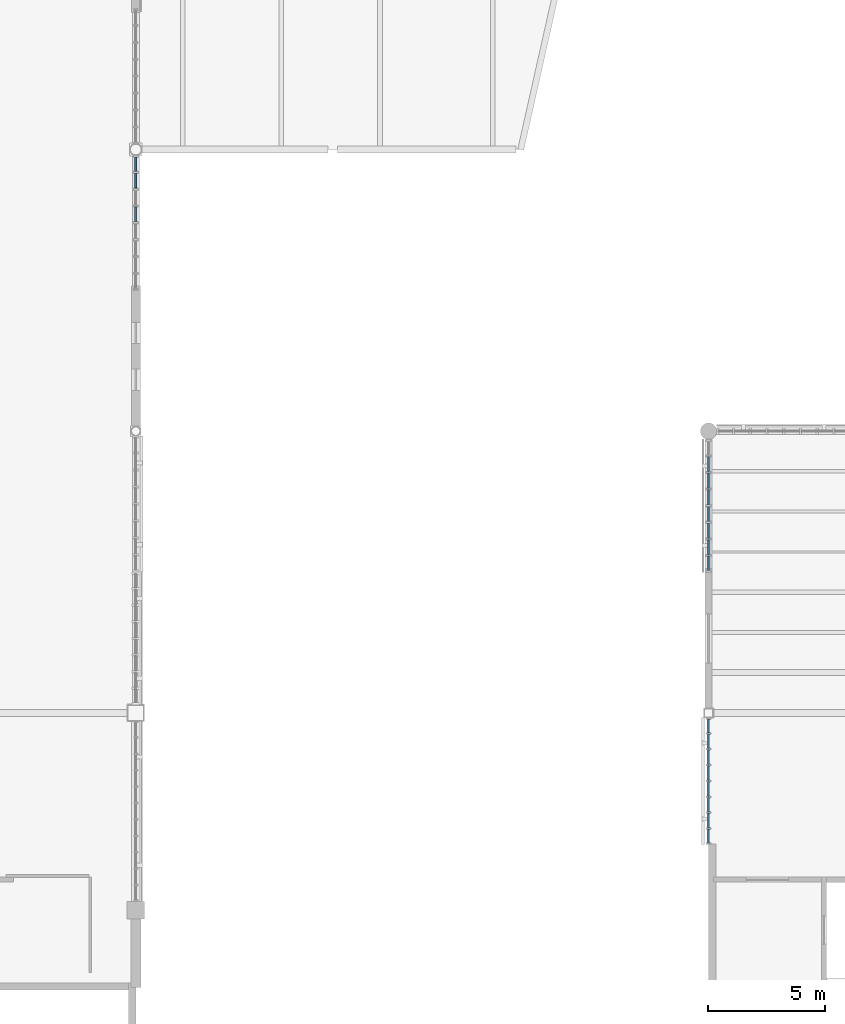
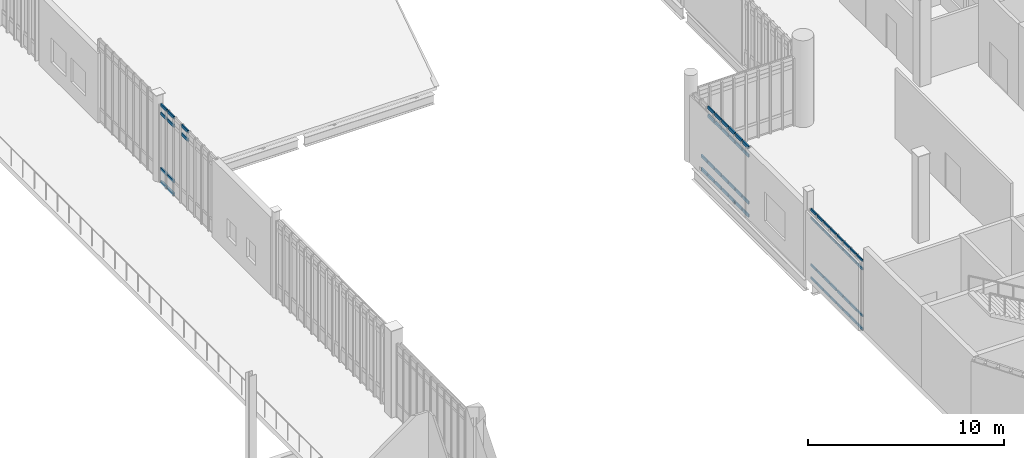
# One storey, part 52 of 135: 68 members, 3 elements without a shape of their own.
"""IFC4 building model written with IfcOpenShell, lengths in metres."""

from ifc_helpers import new_model, si_unit, direction, frame, origin, origin_2d, place, context, subcontext, project, spatial, rectangle, extrude, material, material_profile, profile_set, type_object, element, aggregate, save


model = new_model("IFC4")

# Units and contexts
model_context = context("Model", 3, precision=1e-05, world=origin(), true_north=direction((0.0, 1.0)))
body_context = subcontext(model_context, "Body", "Model", "MODEL_VIEW")
ifc_project = project(units=[si_unit("LENGTHUNIT", "METRE"), si_unit("AREAUNIT", "SQUARE_METRE"), si_unit("VOLUMEUNIT", "CUBIC_METRE"), si_unit("PLANEANGLEUNIT", "RADIAN"), si_unit("MASSUNIT", "GRAM", prefix="KILO")], contexts=[model_context])

# Site, building, storey
site_placement = place(None, origin())
site = spatial("IfcSite", under=ifc_project, at=site_placement, CompositionType="ELEMENT")
building_placement = place(site_placement, origin())
building = spatial("IfcBuilding", under=site, at=building_placement, Name="Larkvane Passage Sports Hall", CompositionType="ELEMENT")
storey_placement = place(building_placement, frame((0.0, 0.0, 16.800048828125)))
storey = spatial("IfcBuildingStorey", under=building, at=storey_placement, Name="L03", CompositionType="ELEMENT", Elevation=16.800048828125)

# Curtain wall, members
ifc_material_1 = material(Name="Thermally broken aluminium and low-E glazing", Category="aluminium")
curtain_wall_type_1 = type_object("IfcCurtainWallType", Name="CW-UNIT-COURT", PredefinedType="USERDEFINED", material=ifc_material_1)
curtain_wall_1_placement = place(storey_placement, origin())
curtain_wall_1 = element("IfcCurtainWall", 1, at=curtain_wall_1_placement, inside=storey, type_object=curtain_wall_type_1, Name="Curtain wall CW5-L03-120", ObjectType="UNITISED CURTAIN WALL", PredefinedType="USERDEFINED")
ifc_material_2 = material(Name="Anodised aluminium 6063-T6", Category="aluminium")
ifc_material_profile_1 = material_profile(ifc_material_2, rectangle(XDim=0.06494140625, YDim=0.139892578125, at=origin_2d()), Name="ALU-TRN-65x140")
ifc_profile_set_1 = profile_set([ifc_material_profile_1], Name="Anodised aluminium 6063-T6")
member_type_1 = type_object("IfcMemberType", Name="CW-TRN-65x140", PredefinedType="USERDEFINED", material=ifc_profile_set_1)
member_1_placement = place(storey_placement, frame((118.0, 34.06494140625, 0.032470703125), z_axis=(0.0, 1.0, 0.0), x_axis=(-1.0, 0.0, 0.0)))
member_1 = element("IfcMember", 2, at=member_1_placement, type_object=member_type_1, Name="CW-01 transom 1.1", ObjectType="TRANSOM", PredefinedType="USERDEFINED", context=body_context, shape_type="SweptSolid", body=[
    extrude(rectangle(XDim=0.06494140625, YDim=0.139892578125, at=origin_2d()), origin(), (0.0, 0.0, 1.0), 0.578125),
])
member_2_placement = place(storey_placement, frame((118.0, 34.06494140625, 0.849853515625), z_axis=(0.0, 1.0, 0.0), x_axis=(-1.0, 0.0, 0.0)))
member_2 = element("IfcMember", 3, at=member_2_placement, type_object=member_type_1, Name="CW-01 transom 1.2", ObjectType="TRANSOM", PredefinedType="USERDEFINED", context=body_context, shape_type="SweptSolid", body=[
    extrude(rectangle(XDim=0.06494140625, YDim=0.139892578125, at=origin_2d()), origin(), (0.0, 0.0, 1.0), 0.578125),
])
member_3_placement = place(storey_placement, frame((118.0, 34.06494140625, 3.765869140625), z_axis=(0.0, 1.0, 0.0), x_axis=(-1.0, 0.0, 0.0)))
member_3 = element("IfcMember", 4, at=member_3_placement, type_object=member_type_1, Name="CW-01 transom 1.3", ObjectType="TRANSOM", PredefinedType="USERDEFINED", context=body_context, shape_type="SweptSolid", body=[
    extrude(rectangle(XDim=0.06494140625, YDim=0.139892578125, at=origin_2d()), origin(), (0.0, 0.0, 1.0), 0.578125),
])
member_4_placement = place(storey_placement, frame((118.0, 34.06494140625, 4.283447265625), z_axis=(0.0, 1.0, 0.0), x_axis=(-1.0, 0.0, 0.0)))
member_4 = element("IfcMember", 5, at=member_4_placement, type_object=member_type_1, Name="CW-01 transom 1.4", ObjectType="TRANSOM", PredefinedType="USERDEFINED", context=body_context, shape_type="SweptSolid", body=[
    extrude(rectangle(XDim=0.06494140625, YDim=0.139892578125, at=origin_2d()), origin(), (0.0, 0.0, 1.0), 0.578125),
])
member_5_placement = place(storey_placement, frame((118.0, 34.7080078125, 0.032470703125), z_axis=(0.0, 1.0, 0.0), x_axis=(-1.0, 0.0, 0.0)))
member_5 = element("IfcMember", 6, at=member_5_placement, type_object=member_type_1, Name="CW-01 transom 2.1", ObjectType="TRANSOM", PredefinedType="USERDEFINED", context=body_context, shape_type="SweptSolid", body=[
    extrude(rectangle(XDim=0.06494140625, YDim=0.139892578125, at=origin_2d()), origin(), (0.0, 0.0, 1.0), 0.610595703125),
])
member_6_placement = place(storey_placement, frame((118.0, 34.7080078125, 0.849853515625), z_axis=(0.0, 1.0, 0.0), x_axis=(-1.0, 0.0, 0.0)))
member_6 = element("IfcMember", 7, at=member_6_placement, type_object=member_type_1, Name="CW-01 transom 2.2", ObjectType="TRANSOM", PredefinedType="USERDEFINED", context=body_context, shape_type="SweptSolid", body=[
    extrude(rectangle(XDim=0.06494140625, YDim=0.139892578125, at=origin_2d()), origin(), (0.0, 0.0, 1.0), 0.610595703125),
])
member_7_placement = place(storey_placement, frame((118.0, 34.7080078125, 3.765869140625), z_axis=(0.0, 1.0, 0.0), x_axis=(-1.0, 0.0, 0.0)))
member_7 = element("IfcMember", 8, at=member_7_placement, type_object=member_type_1, Name="CW-01 transom 2.3", ObjectType="TRANSOM", PredefinedType="USERDEFINED", context=body_context, shape_type="SweptSolid", body=[
    extrude(rectangle(XDim=0.06494140625, YDim=0.139892578125, at=origin_2d()), origin(), (0.0, 0.0, 1.0), 0.610595703125),
])
member_8_placement = place(storey_placement, frame((118.0, 34.7080078125, 4.283447265625), z_axis=(0.0, 1.0, 0.0), x_axis=(-1.0, 0.0, 0.0)))
member_8 = element("IfcMember", 9, at=member_8_placement, type_object=member_type_1, Name="CW-01 transom 2.4", ObjectType="TRANSOM", PredefinedType="USERDEFINED", context=body_context, shape_type="SweptSolid", body=[
    extrude(rectangle(XDim=0.06494140625, YDim=0.139892578125, at=origin_2d()), origin(), (0.0, 0.0, 1.0), 0.610595703125),
])
member_9_placement = place(storey_placement, frame((118.0, 35.383544921875, 0.032470703125), z_axis=(0.0, 1.0, 0.0), x_axis=(-1.0, 0.0, 0.0)))
member_9 = element("IfcMember", 10, at=member_9_placement, type_object=member_type_1, Name="CW-01 transom 3.1", ObjectType="TRANSOM", PredefinedType="USERDEFINED", context=body_context, shape_type="SweptSolid", body=[
    extrude(rectangle(XDim=0.06494140625, YDim=0.139892578125, at=origin_2d()), origin(), (0.0, 0.0, 1.0), 0.6103515625),
])
member_10_placement = place(storey_placement, frame((118.0, 35.383544921875, 0.849853515625), z_axis=(0.0, 1.0, 0.0), x_axis=(-1.0, 0.0, 0.0)))
member_10 = element("IfcMember", 11, at=member_10_placement, type_object=member_type_1, Name="CW-01 transom 3.2", ObjectType="TRANSOM", PredefinedType="USERDEFINED", context=body_context, shape_type="SweptSolid", body=[
    extrude(rectangle(XDim=0.06494140625, YDim=0.139892578125, at=origin_2d()), origin(), (0.0, 0.0, 1.0), 0.6103515625),
])
member_11_placement = place(storey_placement, frame((118.0, 35.383544921875, 3.765869140625), z_axis=(0.0, 1.0, 0.0), x_axis=(-1.0, 0.0, 0.0)))
member_11 = element("IfcMember", 12, at=member_11_placement, type_object=member_type_1, Name="CW-01 transom 3.3", ObjectType="TRANSOM", PredefinedType="USERDEFINED", context=body_context, shape_type="SweptSolid", body=[
    extrude(rectangle(XDim=0.06494140625, YDim=0.139892578125, at=origin_2d()), origin(), (0.0, 0.0, 1.0), 0.6103515625),
])
member_12_placement = place(storey_placement, frame((118.0, 35.383544921875, 4.283447265625), z_axis=(0.0, 1.0, 0.0), x_axis=(-1.0, 0.0, 0.0)))
member_12 = element("IfcMember", 13, at=member_12_placement, type_object=member_type_1, Name="CW-01 transom 3.4", ObjectType="TRANSOM", PredefinedType="USERDEFINED", context=body_context, shape_type="SweptSolid", body=[
    extrude(rectangle(XDim=0.06494140625, YDim=0.139892578125, at=origin_2d()), origin(), (0.0, 0.0, 1.0), 0.6103515625),
])
member_13_placement = place(storey_placement, frame((118.0, 36.05908203125, 0.032470703125), z_axis=(0.0, 1.0, 0.0), x_axis=(-1.0, 0.0, 0.0)))
member_13 = element("IfcMember", 14, at=member_13_placement, type_object=member_type_1, Name="CW-01 transom 4.1", ObjectType="TRANSOM", PredefinedType="USERDEFINED", context=body_context, shape_type="SweptSolid", body=[
    extrude(rectangle(XDim=0.06494140625, YDim=0.139892578125, at=origin_2d()), origin(), (0.0, 0.0, 1.0), 0.6103515625),
])
member_14_placement = place(storey_placement, frame((118.0, 36.05908203125, 0.849853515625), z_axis=(0.0, 1.0, 0.0), x_axis=(-1.0, 0.0, 0.0)))
member_14 = element("IfcMember", 15, at=member_14_placement, type_object=member_type_1, Name="CW-01 transom 4.2", ObjectType="TRANSOM", PredefinedType="USERDEFINED", context=body_context, shape_type="SweptSolid", body=[
    extrude(rectangle(XDim=0.06494140625, YDim=0.139892578125, at=origin_2d()), origin(), (0.0, 0.0, 1.0), 0.6103515625),
])
member_15_placement = place(storey_placement, frame((118.0, 36.05908203125, 3.765869140625), z_axis=(0.0, 1.0, 0.0), x_axis=(-1.0, 0.0, 0.0)))
member_15 = element("IfcMember", 16, at=member_15_placement, type_object=member_type_1, Name="CW-01 transom 4.3", ObjectType="TRANSOM", PredefinedType="USERDEFINED", context=body_context, shape_type="SweptSolid", body=[
    extrude(rectangle(XDim=0.06494140625, YDim=0.139892578125, at=origin_2d()), origin(), (0.0, 0.0, 1.0), 0.6103515625),
])
member_16_placement = place(storey_placement, frame((118.0, 36.05908203125, 4.283447265625), z_axis=(0.0, 1.0, 0.0), x_axis=(-1.0, 0.0, 0.0)))
member_16 = element("IfcMember", 17, at=member_16_placement, type_object=member_type_1, Name="CW-01 transom 4.4", ObjectType="TRANSOM", PredefinedType="USERDEFINED", context=body_context, shape_type="SweptSolid", body=[
    extrude(rectangle(XDim=0.06494140625, YDim=0.139892578125, at=origin_2d()), origin(), (0.0, 0.0, 1.0), 0.6103515625),
])
member_17_placement = place(storey_placement, frame((118.0, 36.734619140625, 0.032470703125), z_axis=(0.0, 1.0, 0.0), x_axis=(-1.0, 0.0, 0.0)))
member_17 = element("IfcMember", 18, at=member_17_placement, type_object=member_type_1, Name="CW-01 transom 5.1", ObjectType="TRANSOM", PredefinedType="USERDEFINED", context=body_context, shape_type="SweptSolid", body=[
    extrude(rectangle(XDim=0.06494140625, YDim=0.139892578125, at=origin_2d()), origin(), (0.0, 0.0, 1.0), 0.6103515625),
])
member_18_placement = place(storey_placement, frame((118.0, 36.734619140625, 0.849853515625), z_axis=(0.0, 1.0, 0.0), x_axis=(-1.0, 0.0, 0.0)))
member_18 = element("IfcMember", 19, at=member_18_placement, type_object=member_type_1, Name="CW-01 transom 5.2", ObjectType="TRANSOM", PredefinedType="USERDEFINED", context=body_context, shape_type="SweptSolid", body=[
    extrude(rectangle(XDim=0.06494140625, YDim=0.139892578125, at=origin_2d()), origin(), (0.0, 0.0, 1.0), 0.6103515625),
])
member_19_placement = place(storey_placement, frame((118.0, 36.734619140625, 3.765869140625), z_axis=(0.0, 1.0, 0.0), x_axis=(-1.0, 0.0, 0.0)))
member_19 = element("IfcMember", 20, at=member_19_placement, type_object=member_type_1, Name="CW-01 transom 5.3", ObjectType="TRANSOM", PredefinedType="USERDEFINED", context=body_context, shape_type="SweptSolid", body=[
    extrude(rectangle(XDim=0.06494140625, YDim=0.139892578125, at=origin_2d()), origin(), (0.0, 0.0, 1.0), 0.6103515625),
])
member_20_placement = place(storey_placement, frame((118.0, 36.734619140625, 4.283447265625), z_axis=(0.0, 1.0, 0.0), x_axis=(-1.0, 0.0, 0.0)))
member_20 = element("IfcMember", 21, at=member_20_placement, type_object=member_type_1, Name="CW-01 transom 5.4", ObjectType="TRANSOM", PredefinedType="USERDEFINED", context=body_context, shape_type="SweptSolid", body=[
    extrude(rectangle(XDim=0.06494140625, YDim=0.139892578125, at=origin_2d()), origin(), (0.0, 0.0, 1.0), 0.6103515625),
])
member_21_placement = place(storey_placement, frame((118.0, 37.409912109375, 0.032470703125), z_axis=(0.0, 1.0, 0.0), x_axis=(-1.0, 0.0, 0.0)))
member_21 = element("IfcMember", 22, at=member_21_placement, type_object=member_type_1, Name="CW-01 transom 6.1", ObjectType="TRANSOM", PredefinedType="USERDEFINED", context=body_context, shape_type="SweptSolid", body=[
    extrude(rectangle(XDim=0.06494140625, YDim=0.139892578125, at=origin_2d()), origin(), (0.0, 0.0, 1.0), 0.610595703125),
])
member_22_placement = place(storey_placement, frame((118.0, 37.409912109375, 0.849853515625), z_axis=(0.0, 1.0, 0.0), x_axis=(-1.0, 0.0, 0.0)))
member_22 = element("IfcMember", 23, at=member_22_placement, type_object=member_type_1, Name="CW-01 transom 6.2", ObjectType="TRANSOM", PredefinedType="USERDEFINED", context=body_context, shape_type="SweptSolid", body=[
    extrude(rectangle(XDim=0.06494140625, YDim=0.139892578125, at=origin_2d()), origin(), (0.0, 0.0, 1.0), 0.610595703125),
])
member_23_placement = place(storey_placement, frame((118.0, 37.409912109375, 3.765869140625), z_axis=(0.0, 1.0, 0.0), x_axis=(-1.0, 0.0, 0.0)))
member_23 = element("IfcMember", 24, at=member_23_placement, type_object=member_type_1, Name="CW-01 transom 6.3", ObjectType="TRANSOM", PredefinedType="USERDEFINED", context=body_context, shape_type="SweptSolid", body=[
    extrude(rectangle(XDim=0.06494140625, YDim=0.139892578125, at=origin_2d()), origin(), (0.0, 0.0, 1.0), 0.610595703125),
])
member_24_placement = place(storey_placement, frame((118.0, 37.409912109375, 4.283447265625), z_axis=(0.0, 1.0, 0.0), x_axis=(-1.0, 0.0, 0.0)))
member_24 = element("IfcMember", 25, at=member_24_placement, type_object=member_type_1, Name="CW-01 transom 6.4", ObjectType="TRANSOM", PredefinedType="USERDEFINED", context=body_context, shape_type="SweptSolid", body=[
    extrude(rectangle(XDim=0.06494140625, YDim=0.139892578125, at=origin_2d()), origin(), (0.0, 0.0, 1.0), 0.610595703125),
])
member_25_placement = place(storey_placement, frame((118.0, 38.08544921875, 0.032470703125), z_axis=(0.0, 1.0, 0.0), x_axis=(-1.0, 0.0, 0.0)))
member_25 = element("IfcMember", 26, at=member_25_placement, type_object=member_type_1, Name="CW-01 transom 7.1", ObjectType="TRANSOM", PredefinedType="USERDEFINED", context=body_context, shape_type="SweptSolid", body=[
    extrude(rectangle(XDim=0.06494140625, YDim=0.139892578125, at=origin_2d()), origin(), (0.0, 0.0, 1.0), 0.610595703125),
])
member_26_placement = place(storey_placement, frame((118.0, 38.08544921875, 0.849853515625), z_axis=(0.0, 1.0, 0.0), x_axis=(-1.0, 0.0, 0.0)))
member_26 = element("IfcMember", 27, at=member_26_placement, type_object=member_type_1, Name="CW-01 transom 7.2", ObjectType="TRANSOM", PredefinedType="USERDEFINED", context=body_context, shape_type="SweptSolid", body=[
    extrude(rectangle(XDim=0.06494140625, YDim=0.139892578125, at=origin_2d()), origin(), (0.0, 0.0, 1.0), 0.610595703125),
])
member_27_placement = place(storey_placement, frame((118.0, 38.08544921875, 3.765869140625), z_axis=(0.0, 1.0, 0.0), x_axis=(-1.0, 0.0, 0.0)))
member_27 = element("IfcMember", 28, at=member_27_placement, type_object=member_type_1, Name="CW-01 transom 7.3", ObjectType="TRANSOM", PredefinedType="USERDEFINED", context=body_context, shape_type="SweptSolid", body=[
    extrude(rectangle(XDim=0.06494140625, YDim=0.139892578125, at=origin_2d()), origin(), (0.0, 0.0, 1.0), 0.610595703125),
])
member_28_placement = place(storey_placement, frame((118.0, 38.08544921875, 4.283447265625), z_axis=(0.0, 1.0, 0.0), x_axis=(-1.0, 0.0, 0.0)))
member_28 = element("IfcMember", 29, at=member_28_placement, type_object=member_type_1, Name="CW-01 transom 7.4", ObjectType="TRANSOM", PredefinedType="USERDEFINED", context=body_context, shape_type="SweptSolid", body=[
    extrude(rectangle(XDim=0.06494140625, YDim=0.139892578125, at=origin_2d()), origin(), (0.0, 0.0, 1.0), 0.610595703125),
])
member_29_placement = place(storey_placement, frame((118.0, 38.760986328125, 0.032470703125), z_axis=(0.0, 1.0, 0.0), x_axis=(-1.0, 0.0, 0.0)))
member_29 = element("IfcMember", 30, at=member_29_placement, type_object=member_type_1, Name="CW-01 transom 8.1", ObjectType="TRANSOM", PredefinedType="USERDEFINED", context=body_context, shape_type="SweptSolid", body=[
    extrude(rectangle(XDim=0.06494140625, YDim=0.139892578125, at=origin_2d()), origin(), (0.0, 0.0, 1.0), 0.578125),
])
member_30_placement = place(storey_placement, frame((118.0, 38.760986328125, 0.849853515625), z_axis=(0.0, 1.0, 0.0), x_axis=(-1.0, 0.0, 0.0)))
member_30 = element("IfcMember", 31, at=member_30_placement, type_object=member_type_1, Name="CW-01 transom 8.2", ObjectType="TRANSOM", PredefinedType="USERDEFINED", context=body_context, shape_type="SweptSolid", body=[
    extrude(rectangle(XDim=0.06494140625, YDim=0.139892578125, at=origin_2d()), origin(), (0.0, 0.0, 1.0), 0.578125),
])
member_31_placement = place(storey_placement, frame((118.0, 38.760986328125, 3.765869140625), z_axis=(0.0, 1.0, 0.0), x_axis=(-1.0, 0.0, 0.0)))
member_31 = element("IfcMember", 32, at=member_31_placement, type_object=member_type_1, Name="CW-01 transom 8.3", ObjectType="TRANSOM", PredefinedType="USERDEFINED", context=body_context, shape_type="SweptSolid", body=[
    extrude(rectangle(XDim=0.06494140625, YDim=0.139892578125, at=origin_2d()), origin(), (0.0, 0.0, 1.0), 0.578125),
])
member_32_placement = place(storey_placement, frame((118.0, 38.760986328125, 4.283447265625), z_axis=(0.0, 1.0, 0.0), x_axis=(-1.0, 0.0, 0.0)))
member_32 = element("IfcMember", 33, at=member_32_placement, type_object=member_type_1, Name="CW-01 transom 8.4", ObjectType="TRANSOM", PredefinedType="USERDEFINED", context=body_context, shape_type="SweptSolid", body=[
    extrude(rectangle(XDim=0.06494140625, YDim=0.139892578125, at=origin_2d()), origin(), (0.0, 0.0, 1.0), 0.578125),
])
aggregate(curtain_wall_1, [member_1, member_2, member_3, member_4, member_5, member_6, member_7, member_8, member_9, member_10, member_11, member_12, member_13, member_14, member_15, member_16, member_17, member_18, member_19, member_20, member_21, member_22, member_23, member_24, member_25, member_26, member_27, member_28, member_29, member_30, member_31, member_32])

curtain_wall_type_2 = type_object("IfcCurtainWallType", Name="CW-UNIT-VEIL", PredefinedType="USERDEFINED", material=ifc_material_1)
curtain_wall_2_placement = place(storey_placement, origin())
curtain_wall_2 = element("IfcCurtainWall", 34, at=curtain_wall_2_placement, inside=storey, type_object=curtain_wall_type_2, Name="Curtain wall CW5-L03-121", ObjectType="UNITISED CURTAIN WALL", PredefinedType="USERDEFINED")
ifc_material_profile_2 = material_profile(ifc_material_2, rectangle(XDim=0.074951171875, YDim=0.18505859375, at=origin_2d()), Name="ALU-TRN-75x185")
ifc_profile_set_2 = profile_set([ifc_material_profile_2], Name="Anodised aluminium 6063-T6")
member_type_2 = type_object("IfcMemberType", Name="CW-TRN-75x185", PredefinedType="USERDEFINED", material=ifc_profile_set_2)
member_33_placement = place(storey_placement, frame((118.0, 45.675048828125, 0.037353515625), z_axis=(0.0, 1.0, 0.0), x_axis=(-1.0, 0.0, 0.0)))
member_33 = element("IfcMember", 35, at=member_33_placement, type_object=member_type_2, Name="CW-02 transom 1.1", ObjectType="TRANSOM", PredefinedType="USERDEFINED", context=body_context, shape_type="SweptSolid", body=[
    extrude(rectangle(XDim=0.074951171875, YDim=0.18505859375, at=origin_2d()), origin(), (0.0, 0.0, 1.0), 0.59423828125),
])
member_34_placement = place(storey_placement, frame((118.0, 45.675048828125, 0.849853515625), z_axis=(0.0, 1.0, 0.0), x_axis=(-1.0, 0.0, 0.0)))
member_34 = element("IfcMember", 36, at=member_34_placement, type_object=member_type_2, Name="CW-02 transom 1.2", ObjectType="TRANSOM", PredefinedType="USERDEFINED", context=body_context, shape_type="SweptSolid", body=[
    extrude(rectangle(XDim=0.074951171875, YDim=0.18505859375, at=origin_2d()), origin(), (0.0, 0.0, 1.0), 0.59423828125),
])
member_35_placement = place(storey_placement, frame((118.0, 45.675048828125, 3.765869140625), z_axis=(0.0, 1.0, 0.0), x_axis=(-1.0, 0.0, 0.0)))
member_35 = element("IfcMember", 37, at=member_35_placement, type_object=member_type_2, Name="CW-02 transom 1.3", ObjectType="TRANSOM", PredefinedType="USERDEFINED", context=body_context, shape_type="SweptSolid", body=[
    extrude(rectangle(XDim=0.074951171875, YDim=0.18505859375, at=origin_2d()), origin(), (0.0, 0.0, 1.0), 0.59423828125),
])
member_36_placement = place(storey_placement, frame((118.0, 45.675048828125, 4.278564453125), z_axis=(0.0, 1.0, 0.0), x_axis=(-1.0, 0.0, 0.0)))
member_36 = element("IfcMember", 38, at=member_36_placement, type_object=member_type_2, Name="CW-02 transom 1.4", ObjectType="TRANSOM", PredefinedType="USERDEFINED", context=body_context, shape_type="SweptSolid", body=[
    extrude(rectangle(XDim=0.074951171875, YDim=0.18505859375, at=origin_2d()), origin(), (0.0, 0.0, 1.0), 0.59423828125),
])
member_37_placement = place(storey_placement, frame((118.0, 46.34423828125, 0.037353515625), z_axis=(0.0, 1.0, 0.0), x_axis=(-1.0, 0.0, 0.0)))
member_37 = element("IfcMember", 39, at=member_37_placement, type_object=member_type_2, Name="CW-02 transom 2.1", ObjectType="TRANSOM", PredefinedType="USERDEFINED", context=body_context, shape_type="SweptSolid", body=[
    extrude(rectangle(XDim=0.074951171875, YDim=0.18505859375, at=origin_2d()), origin(), (0.0, 0.0, 1.0), 0.6318359375),
])
member_38_placement = place(storey_placement, frame((118.0, 46.34423828125, 0.849853515625), z_axis=(0.0, 1.0, 0.0), x_axis=(-1.0, 0.0, 0.0)))
member_38 = element("IfcMember", 40, at=member_38_placement, type_object=member_type_2, Name="CW-02 transom 2.2", ObjectType="TRANSOM", PredefinedType="USERDEFINED", context=body_context, shape_type="SweptSolid", body=[
    extrude(rectangle(XDim=0.074951171875, YDim=0.18505859375, at=origin_2d()), origin(), (0.0, 0.0, 1.0), 0.6318359375),
])
member_39_placement = place(storey_placement, frame((118.0, 46.34423828125, 3.765869140625), z_axis=(0.0, 1.0, 0.0), x_axis=(-1.0, 0.0, 0.0)))
member_39 = element("IfcMember", 41, at=member_39_placement, type_object=member_type_2, Name="CW-02 transom 2.3", ObjectType="TRANSOM", PredefinedType="USERDEFINED", context=body_context, shape_type="SweptSolid", body=[
    extrude(rectangle(XDim=0.074951171875, YDim=0.18505859375, at=origin_2d()), origin(), (0.0, 0.0, 1.0), 0.6318359375),
])
member_40_placement = place(storey_placement, frame((118.0, 46.34423828125, 4.278564453125), z_axis=(0.0, 1.0, 0.0), x_axis=(-1.0, 0.0, 0.0)))
member_40 = element("IfcMember", 42, at=member_40_placement, type_object=member_type_2, Name="CW-02 transom 2.4", ObjectType="TRANSOM", PredefinedType="USERDEFINED", context=body_context, shape_type="SweptSolid", body=[
    extrude(rectangle(XDim=0.074951171875, YDim=0.18505859375, at=origin_2d()), origin(), (0.0, 0.0, 1.0), 0.6318359375),
])
member_41_placement = place(storey_placement, frame((118.0, 47.051025390625, 0.037353515625), z_axis=(0.0, 1.0, 0.0), x_axis=(-1.0, 0.0, 0.0)))
member_41 = element("IfcMember", 43, at=member_41_placement, type_object=member_type_2, Name="CW-02 transom 3.1", ObjectType="TRANSOM", PredefinedType="USERDEFINED", context=body_context, shape_type="SweptSolid", body=[
    extrude(rectangle(XDim=0.074951171875, YDim=0.18505859375, at=origin_2d()), origin(), (0.0, 0.0, 1.0), 0.6318359375),
])
member_42_placement = place(storey_placement, frame((118.0, 47.051025390625, 0.849853515625), z_axis=(0.0, 1.0, 0.0), x_axis=(-1.0, 0.0, 0.0)))
member_42 = element("IfcMember", 44, at=member_42_placement, type_object=member_type_2, Name="CW-02 transom 3.2", ObjectType="TRANSOM", PredefinedType="USERDEFINED", context=body_context, shape_type="SweptSolid", body=[
    extrude(rectangle(XDim=0.074951171875, YDim=0.18505859375, at=origin_2d()), origin(), (0.0, 0.0, 1.0), 0.6318359375),
])
member_43_placement = place(storey_placement, frame((118.0, 47.051025390625, 3.765869140625), z_axis=(0.0, 1.0, 0.0), x_axis=(-1.0, 0.0, 0.0)))
member_43 = element("IfcMember", 45, at=member_43_placement, type_object=member_type_2, Name="CW-02 transom 3.3", ObjectType="TRANSOM", PredefinedType="USERDEFINED", context=body_context, shape_type="SweptSolid", body=[
    extrude(rectangle(XDim=0.074951171875, YDim=0.18505859375, at=origin_2d()), origin(), (0.0, 0.0, 1.0), 0.6318359375),
])
member_44_placement = place(storey_placement, frame((118.0, 47.051025390625, 4.278564453125), z_axis=(0.0, 1.0, 0.0), x_axis=(-1.0, 0.0, 0.0)))
member_44 = element("IfcMember", 46, at=member_44_placement, type_object=member_type_2, Name="CW-02 transom 3.4", ObjectType="TRANSOM", PredefinedType="USERDEFINED", context=body_context, shape_type="SweptSolid", body=[
    extrude(rectangle(XDim=0.074951171875, YDim=0.18505859375, at=origin_2d()), origin(), (0.0, 0.0, 1.0), 0.6318359375),
])
member_45_placement = place(storey_placement, frame((118.0, 47.7578125, 0.037353515625), z_axis=(0.0, 1.0, 0.0), x_axis=(-1.0, 0.0, 0.0)))
member_45 = element("IfcMember", 47, at=member_45_placement, type_object=member_type_2, Name="CW-02 transom 4.1", ObjectType="TRANSOM", PredefinedType="USERDEFINED", context=body_context, shape_type="SweptSolid", body=[
    extrude(rectangle(XDim=0.074951171875, YDim=0.18505859375, at=origin_2d()), origin(), (0.0, 0.0, 1.0), 0.631591796875),
])
member_46_placement = place(storey_placement, frame((118.0, 47.7578125, 0.849853515625), z_axis=(0.0, 1.0, 0.0), x_axis=(-1.0, 0.0, 0.0)))
member_46 = element("IfcMember", 48, at=member_46_placement, type_object=member_type_2, Name="CW-02 transom 4.2", ObjectType="TRANSOM", PredefinedType="USERDEFINED", context=body_context, shape_type="SweptSolid", body=[
    extrude(rectangle(XDim=0.074951171875, YDim=0.18505859375, at=origin_2d()), origin(), (0.0, 0.0, 1.0), 0.631591796875),
])
member_47_placement = place(storey_placement, frame((118.0, 47.7578125, 3.765869140625), z_axis=(0.0, 1.0, 0.0), x_axis=(-1.0, 0.0, 0.0)))
member_47 = element("IfcMember", 49, at=member_47_placement, type_object=member_type_2, Name="CW-02 transom 4.3", ObjectType="TRANSOM", PredefinedType="USERDEFINED", context=body_context, shape_type="SweptSolid", body=[
    extrude(rectangle(XDim=0.074951171875, YDim=0.18505859375, at=origin_2d()), origin(), (0.0, 0.0, 1.0), 0.631591796875),
])
member_48_placement = place(storey_placement, frame((118.0, 47.7578125, 4.278564453125), z_axis=(0.0, 1.0, 0.0), x_axis=(-1.0, 0.0, 0.0)))
member_48 = element("IfcMember", 50, at=member_48_placement, type_object=member_type_2, Name="CW-02 transom 4.4", ObjectType="TRANSOM", PredefinedType="USERDEFINED", context=body_context, shape_type="SweptSolid", body=[
    extrude(rectangle(XDim=0.074951171875, YDim=0.18505859375, at=origin_2d()), origin(), (0.0, 0.0, 1.0), 0.631591796875),
])
member_49_placement = place(storey_placement, frame((118.0, 48.464599609375, 0.037353515625), z_axis=(0.0, 1.0, 0.0), x_axis=(-1.0, 0.0, 0.0)))
member_49 = element("IfcMember", 51, at=member_49_placement, type_object=member_type_2, Name="CW-02 transom 5.1", ObjectType="TRANSOM", PredefinedType="USERDEFINED", context=body_context, shape_type="SweptSolid", body=[
    extrude(rectangle(XDim=0.074951171875, YDim=0.18505859375, at=origin_2d()), origin(), (0.0, 0.0, 1.0), 0.631591796875),
])
member_50_placement = place(storey_placement, frame((118.0, 48.464599609375, 0.849853515625), z_axis=(0.0, 1.0, 0.0), x_axis=(-1.0, 0.0, 0.0)))
member_50 = element("IfcMember", 52, at=member_50_placement, type_object=member_type_2, Name="CW-02 transom 5.2", ObjectType="TRANSOM", PredefinedType="USERDEFINED", context=body_context, shape_type="SweptSolid", body=[
    extrude(rectangle(XDim=0.074951171875, YDim=0.18505859375, at=origin_2d()), origin(), (0.0, 0.0, 1.0), 0.631591796875),
])
member_51_placement = place(storey_placement, frame((118.0, 48.464599609375, 3.765869140625), z_axis=(0.0, 1.0, 0.0), x_axis=(-1.0, 0.0, 0.0)))
member_51 = element("IfcMember", 53, at=member_51_placement, type_object=member_type_2, Name="CW-02 transom 5.3", ObjectType="TRANSOM", PredefinedType="USERDEFINED", context=body_context, shape_type="SweptSolid", body=[
    extrude(rectangle(XDim=0.074951171875, YDim=0.18505859375, at=origin_2d()), origin(), (0.0, 0.0, 1.0), 0.631591796875),
])
member_52_placement = place(storey_placement, frame((118.0, 48.464599609375, 4.278564453125), z_axis=(0.0, 1.0, 0.0), x_axis=(-1.0, 0.0, 0.0)))
member_52 = element("IfcMember", 54, at=member_52_placement, type_object=member_type_2, Name="CW-02 transom 5.4", ObjectType="TRANSOM", PredefinedType="USERDEFINED", context=body_context, shape_type="SweptSolid", body=[
    extrude(rectangle(XDim=0.074951171875, YDim=0.18505859375, at=origin_2d()), origin(), (0.0, 0.0, 1.0), 0.631591796875),
])
member_53_placement = place(storey_placement, frame((118.0, 49.171142578125, 0.037353515625), z_axis=(0.0, 1.0, 0.0), x_axis=(-1.0, 0.0, 0.0)))
member_53 = element("IfcMember", 55, at=member_53_placement, type_object=member_type_2, Name="CW-02 transom 6.1", ObjectType="TRANSOM", PredefinedType="USERDEFINED", context=body_context, shape_type="SweptSolid", body=[
    extrude(rectangle(XDim=0.074951171875, YDim=0.18505859375, at=origin_2d()), origin(), (0.0, 0.0, 1.0), 0.6318359375),
])
member_54_placement = place(storey_placement, frame((118.0, 49.171142578125, 0.849853515625), z_axis=(0.0, 1.0, 0.0), x_axis=(-1.0, 0.0, 0.0)))
member_54 = element("IfcMember", 56, at=member_54_placement, type_object=member_type_2, Name="CW-02 transom 6.2", ObjectType="TRANSOM", PredefinedType="USERDEFINED", context=body_context, shape_type="SweptSolid", body=[
    extrude(rectangle(XDim=0.074951171875, YDim=0.18505859375, at=origin_2d()), origin(), (0.0, 0.0, 1.0), 0.6318359375),
])
member_55_placement = place(storey_placement, frame((118.0, 49.171142578125, 3.765869140625), z_axis=(0.0, 1.0, 0.0), x_axis=(-1.0, 0.0, 0.0)))
member_55 = element("IfcMember", 57, at=member_55_placement, type_object=member_type_2, Name="CW-02 transom 6.3", ObjectType="TRANSOM", PredefinedType="USERDEFINED", context=body_context, shape_type="SweptSolid", body=[
    extrude(rectangle(XDim=0.074951171875, YDim=0.18505859375, at=origin_2d()), origin(), (0.0, 0.0, 1.0), 0.6318359375),
])
member_56_placement = place(storey_placement, frame((118.0, 49.171142578125, 4.278564453125), z_axis=(0.0, 1.0, 0.0), x_axis=(-1.0, 0.0, 0.0)))
member_56 = element("IfcMember", 58, at=member_56_placement, type_object=member_type_2, Name="CW-02 transom 6.4", ObjectType="TRANSOM", PredefinedType="USERDEFINED", context=body_context, shape_type="SweptSolid", body=[
    extrude(rectangle(XDim=0.074951171875, YDim=0.18505859375, at=origin_2d()), origin(), (0.0, 0.0, 1.0), 0.6318359375),
])
member_57_placement = place(storey_placement, frame((118.0, 49.8779296875, 0.037353515625), z_axis=(0.0, 1.0, 0.0), x_axis=(-1.0, 0.0, 0.0)))
member_57 = element("IfcMember", 59, at=member_57_placement, type_object=member_type_2, Name="CW-02 transom 7.1", ObjectType="TRANSOM", PredefinedType="USERDEFINED", context=body_context, shape_type="SweptSolid", body=[
    extrude(rectangle(XDim=0.074951171875, YDim=0.18505859375, at=origin_2d()), origin(), (0.0, 0.0, 1.0), 0.6318359375),
])
member_58_placement = place(storey_placement, frame((118.0, 49.8779296875, 0.849853515625), z_axis=(0.0, 1.0, 0.0), x_axis=(-1.0, 0.0, 0.0)))
member_58 = element("IfcMember", 60, at=member_58_placement, type_object=member_type_2, Name="CW-02 transom 7.2", ObjectType="TRANSOM", PredefinedType="USERDEFINED", context=body_context, shape_type="SweptSolid", body=[
    extrude(rectangle(XDim=0.074951171875, YDim=0.18505859375, at=origin_2d()), origin(), (0.0, 0.0, 1.0), 0.6318359375),
])
aggregate(curtain_wall_2, [member_33, member_34, member_35, member_36, member_37, member_38, member_39, member_40, member_41, member_42, member_43, member_44, member_45, member_46, member_47, member_48, member_49, member_50, member_51, member_52, member_53, member_54, member_55, member_56, member_57, member_58])

curtain_wall_3_placement = place(storey_placement, origin())
curtain_wall_3 = element("IfcCurtainWall", 61, at=curtain_wall_3_placement, inside=storey, type_object=curtain_wall_type_2, Name="Curtain wall CW5-L03-145", ObjectType="UNITISED CURTAIN WALL", PredefinedType="USERDEFINED")
member_59_placement = place(storey_placement, frame((93.60009765625, 63.27490234375, 0.037353515625), z_axis=(0.0, -1.0, 0.0), x_axis=(1.0, 0.0, 0.0)))
member_59 = element("IfcMember", 62, at=member_59_placement, type_object=member_type_2, Name="CW-02 transom 1.1", ObjectType="TRANSOM", PredefinedType="USERDEFINED", context=body_context, shape_type="SweptSolid", body=[
    extrude(rectangle(XDim=0.074951171875, YDim=0.18505859375, at=origin_2d()), origin(), (0.0, 0.0, 1.0), 0.606201171875),
])
member_60_placement = place(storey_placement, frame((93.60009765625, 63.27490234375, 0.849853515625), z_axis=(0.0, -1.0, 0.0), x_axis=(1.0, 0.0, 0.0)))
member_60 = element("IfcMember", 63, at=member_60_placement, type_object=member_type_2, Name="CW-02 transom 1.2", ObjectType="TRANSOM", PredefinedType="USERDEFINED", context=body_context, shape_type="SweptSolid", body=[
    extrude(rectangle(XDim=0.074951171875, YDim=0.18505859375, at=origin_2d()), origin(), (0.0, 0.0, 1.0), 0.606201171875),
])
member_61_placement = place(storey_placement, frame((93.60009765625, 63.27490234375, 4.29296875), z_axis=(0.0, -1.0, 0.0), x_axis=(1.0, 0.0, 0.0)))
member_61 = element("IfcMember", 64, at=member_61_placement, type_object=member_type_2, Name="CW-02 transom 1.3", ObjectType="TRANSOM", PredefinedType="USERDEFINED", context=body_context, shape_type="SweptSolid", body=[
    extrude(rectangle(XDim=0.074951171875, YDim=0.18505859375, at=origin_2d()), origin(), (0.0, 0.0, 1.0), 0.606201171875),
])
member_62_placement = place(storey_placement, frame((93.60009765625, 63.27490234375, 4.805419921875), z_axis=(0.0, -1.0, 0.0), x_axis=(1.0, 0.0, 0.0)))
member_62 = element("IfcMember", 65, at=member_62_placement, type_object=member_type_2, Name="CW-02 transom 1.4", ObjectType="TRANSOM", PredefinedType="USERDEFINED", context=body_context, shape_type="SweptSolid", body=[
    extrude(rectangle(XDim=0.074951171875, YDim=0.18505859375, at=origin_2d()), origin(), (0.0, 0.0, 1.0), 0.606201171875),
])
member_63_placement = place(storey_placement, frame((93.60009765625, 62.59375, 0.037353515625), z_axis=(0.0, -1.0, 0.0), x_axis=(1.0, 0.0, 0.0)))
member_63 = element("IfcMember", 66, at=member_63_placement, type_object=member_type_2, Name="CW-02 transom 2.1", ObjectType="TRANSOM", PredefinedType="USERDEFINED", context=body_context, shape_type="SweptSolid", body=[
    extrude(rectangle(XDim=0.074951171875, YDim=0.18505859375, at=origin_2d()), origin(), (0.0, 0.0, 1.0), 0.643798828125),
])
member_64_placement = place(storey_placement, frame((93.60009765625, 62.59375, 0.849853515625), z_axis=(0.0, -1.0, 0.0), x_axis=(1.0, 0.0, 0.0)))
member_64 = element("IfcMember", 67, at=member_64_placement, type_object=member_type_2, Name="CW-02 transom 2.2", ObjectType="TRANSOM", PredefinedType="USERDEFINED", context=body_context, shape_type="SweptSolid", body=[
    extrude(rectangle(XDim=0.074951171875, YDim=0.18505859375, at=origin_2d()), origin(), (0.0, 0.0, 1.0), 0.643798828125),
])
member_65_placement = place(storey_placement, frame((93.60009765625, 62.59375, 4.29296875), z_axis=(0.0, -1.0, 0.0), x_axis=(1.0, 0.0, 0.0)))
member_65 = element("IfcMember", 68, at=member_65_placement, type_object=member_type_2, Name="CW-02 transom 2.3", ObjectType="TRANSOM", PredefinedType="USERDEFINED", context=body_context, shape_type="SweptSolid", body=[
    extrude(rectangle(XDim=0.074951171875, YDim=0.18505859375, at=origin_2d()), origin(), (0.0, 0.0, 1.0), 0.643798828125),
])
member_66_placement = place(storey_placement, frame((93.60009765625, 62.59375, 4.805419921875), z_axis=(0.0, -1.0, 0.0), x_axis=(1.0, 0.0, 0.0)))
member_66 = element("IfcMember", 69, at=member_66_placement, type_object=member_type_2, Name="CW-02 transom 2.4", ObjectType="TRANSOM", PredefinedType="USERDEFINED", context=body_context, shape_type="SweptSolid", body=[
    extrude(rectangle(XDim=0.074951171875, YDim=0.18505859375, at=origin_2d()), origin(), (0.0, 0.0, 1.0), 0.643798828125),
])
member_67_placement = place(storey_placement, frame((93.60009765625, 61.15625, 4.29296875), z_axis=(0.0, -1.0, 0.0), x_axis=(1.0, 0.0, 0.0)))
member_67 = element("IfcMember", 70, at=member_67_placement, type_object=member_type_2, Name="CW-02 transom 4.3", ObjectType="TRANSOM", PredefinedType="USERDEFINED", context=body_context, shape_type="SweptSolid", body=[
    extrude(rectangle(XDim=0.074951171875, YDim=0.18505859375, at=origin_2d()), origin(), (0.0, 0.0, 1.0), 0.643798828125),
])
member_68_placement = place(storey_placement, frame((93.60009765625, 61.15625, 4.805419921875), z_axis=(0.0, -1.0, 0.0), x_axis=(1.0, 0.0, 0.0)))
member_68 = element("IfcMember", 71, at=member_68_placement, type_object=member_type_2, Name="CW-02 transom 4.4", ObjectType="TRANSOM", PredefinedType="USERDEFINED", context=body_context, shape_type="SweptSolid", body=[
    extrude(rectangle(XDim=0.074951171875, YDim=0.18505859375, at=origin_2d()), origin(), (0.0, 0.0, 1.0), 0.643798828125),
])
aggregate(curtain_wall_3, [member_59, member_60, member_61, member_62, member_63, member_64, member_65, member_66, member_67, member_68])

save(model, "model.ifc")
